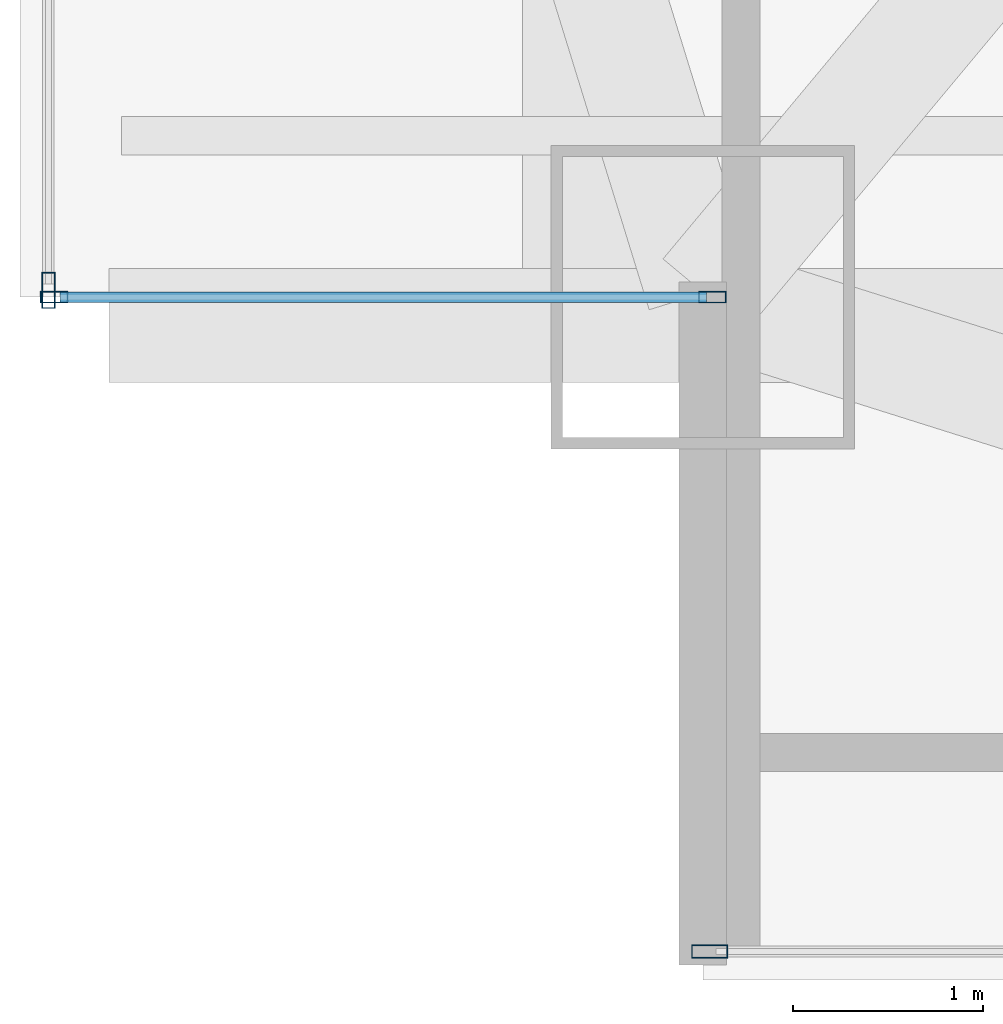
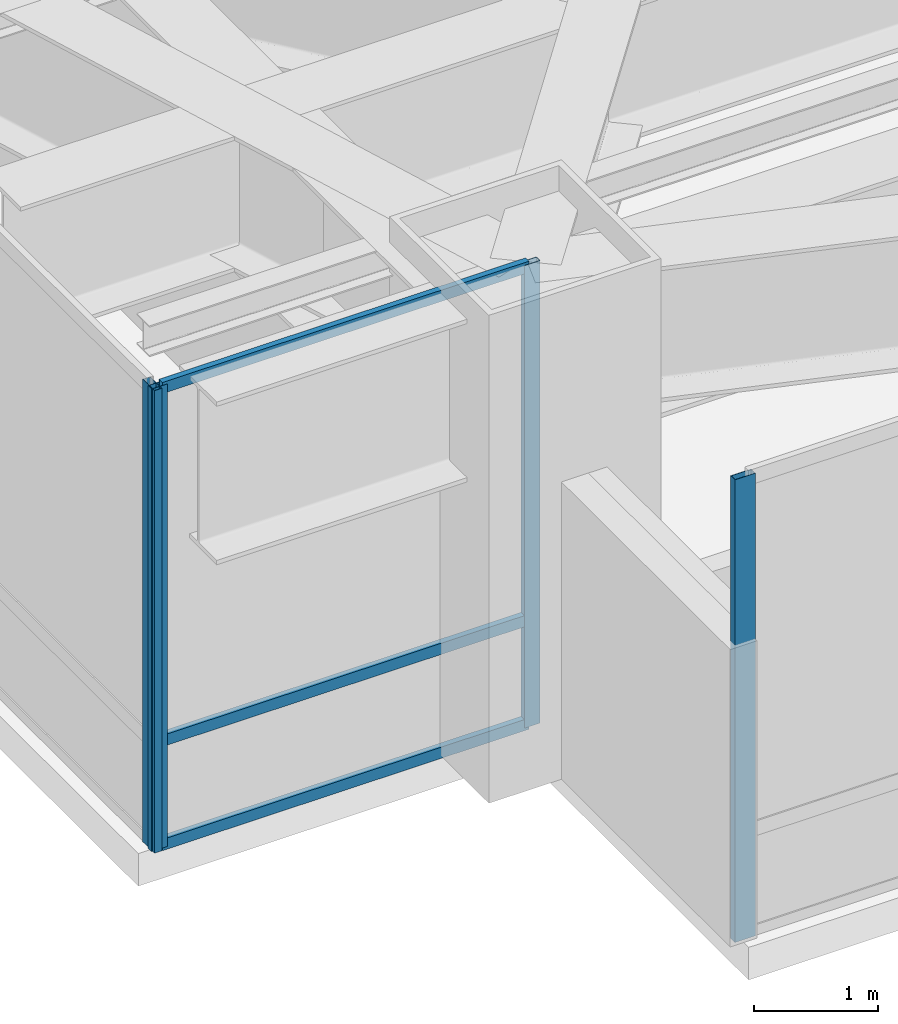
# One storey, part 3 of 30: 7 members, 3 elements without a shape of their own.
"""IFC4 building model written with IfcOpenShell, lengths in metres."""

from ifc_helpers import new_model, si_unit, direction, frame, origin, origin_2d, place, context, subcontext, project, spatial, hollow_rectangle, extrude, source, transform, mapped, material, layer, layer_set, material_profile, profile_set, type_object, type_shapes, element, aggregate, save


model = new_model("IFC4")

# Units and contexts
model_context = context("Model", 3, precision=1e-05, world=origin(), true_north=direction((0.0, 1.0)))
body_context = subcontext(model_context, "Body", "Model", "MODEL_VIEW")
ifc_project = project(units=[si_unit("LENGTHUNIT", "METRE"), si_unit("AREAUNIT", "SQUARE_METRE"), si_unit("VOLUMEUNIT", "CUBIC_METRE"), si_unit("PLANEANGLEUNIT", "RADIAN"), si_unit("MASSUNIT", "GRAM", prefix="KILO")], contexts=[model_context])

# Site, building, storey
site_placement = place(None, origin())
site = spatial("IfcSite", under=ifc_project, at=site_placement, CompositionType="ELEMENT")
building_placement = place(site_placement, origin())
building = spatial("IfcBuilding", under=site, at=building_placement, Name="Varnel Quay Broadcast Tower", CompositionType="ELEMENT")
storey_placement = place(building_placement, frame((0.0, 0.0, 82.199951171875)))
storey = spatial("IfcBuildingStorey", under=building, at=storey_placement, Name="L19", CompositionType="ELEMENT", Elevation=82.199951171875)

# Curtain wall, members
ifc_material = material(Name="Anodised Bronze Aluminium 6063-T6", Category="aluminium")
ifc_layer_1 = layer(ifc_material, 0.18994140625, Name="Anodised Bronze Aluminium 6063-T6")
ifc_layer_set_1 = layer_set([ifc_layer_1], Name="Anodised Bronze Aluminium 6063-T6")
curtain_wall_type_1 = type_object("IfcCurtainWallType", Name="CW_NotchCorner", PredefinedType="NOTDEFINED", material=ifc_layer_set_1)
curtain_wall_1_placement = place(storey_placement, origin())
curtain_wall_1 = element("IfcCurtainWall", 1, at=curtain_wall_1_placement, inside=storey, type_object=curtain_wall_type_1, Name="L19 SW Notch Curtain Wall", PredefinedType="NOTDEFINED")
ifc_material_profile_1 = material_profile(ifc_material, hollow_rectangle(XDim=0.054931640625, YDim=0.110107421875, WallThickness=0.0029296875, at=origin_2d()), Name="ALU55X110X3")
ifc_profile_set_1 = profile_set([ifc_material_profile_1], Name="Anodised Bronze Aluminium 6063-T6")
member_type_1 = type_object("IfcMemberType", Name="Tran_CWS-04", PredefinedType="USERDEFINED", material=ifc_profile_set_1)
shared_shape_1 = source(origin(), body_context, "Body", "SweptSolid", [
    extrude(hollow_rectangle(XDim=0.054931640625, YDim=0.110107421875, WallThickness=0.0029296875, at=origin_2d()), origin(), (0.0, 0.0, 1.0), 3.41015625),
])
type_shapes(member_type_1, [shared_shape_1])
member_1_placement = place(storey_placement, frame((2.2099609375, 4.800048828125, 0.027587890625), z_axis=(1.0, 0.0, 0.0), x_axis=(0.0, 1.0, 0.0)))
member_1 = element("IfcMember", 2, at=member_1_placement, type_object=member_type_1, Name="CWS-04 transom 1.1", ObjectType="TRANSOM", PredefinedType="USERDEFINED", context=body_context, shape_type="MappedRepresentation", body=[
    mapped(shared_shape_1, transform((0.0, 0.0, 0.0), x_axis=(1.0, 0.0, 0.0), y_axis=(0.0, 1.0, 0.0), z_axis=(0.0, 0.0, 1.0), scale=1.0)),
])
member_2_placement = place(storey_placement, frame((2.2099609375, 4.800048828125, 1.050048828125), z_axis=(1.0, 0.0, 0.0), x_axis=(0.0, 1.0, 0.0)))
member_2 = element("IfcMember", 3, at=member_2_placement, type_object=member_type_1, Name="CWS-04 transom 1.2", ObjectType="TRANSOM", PredefinedType="USERDEFINED", context=body_context, shape_type="MappedRepresentation", body=[
    mapped(shared_shape_1, transform((0.0, 0.0, 0.0), x_axis=(1.0, 0.0, 0.0), y_axis=(0.0, 1.0, 0.0), z_axis=(0.0, 0.0, 1.0), scale=1.0)),
])
member_3_placement = place(storey_placement, frame((2.2099609375, 4.800048828125, 4.5224609375), z_axis=(1.0, 0.0, 0.0), x_axis=(0.0, 1.0, 0.0)))
member_3 = element("IfcMember", 4, at=member_3_placement, type_object=member_type_1, Name="CWS-04 transom 1.3", ObjectType="TRANSOM", PredefinedType="USERDEFINED", context=body_context, shape_type="MappedRepresentation", body=[
    mapped(shared_shape_1, transform((0.0, 0.0, 0.0), x_axis=(1.0, 0.0, 0.0), y_axis=(0.0, 1.0, 0.0), z_axis=(0.0, 0.0, 1.0), scale=1.0)),
])

# Curtain wall, member
ifc_layer_2 = layer(ifc_material, 0.18994140625, Name="Anodised Bronze Aluminium 6063-T6")
ifc_layer_set_2 = layer_set([ifc_layer_2], Name="Anodised Bronze Aluminium 6063-T6")
curtain_wall_type_2 = type_object("IfcCurtainWallType", Name="CW_LowerTower", PredefinedType="NOTDEFINED", material=ifc_layer_set_2)
curtain_wall_2_placement = place(storey_placement, origin())
curtain_wall_2 = element("IfcCurtainWall", 5, at=curtain_wall_2_placement, inside=storey, type_object=curtain_wall_type_2, Name="L19 South Unitised Curtain Wall 1", PredefinedType="NOTDEFINED")
ifc_material_profile_2 = material_profile(ifc_material, hollow_rectangle(XDim=0.070068359375, YDim=0.18994140625, WallThickness=0.00390625, at=origin_2d()), Name="ALU70X190X4")
ifc_profile_set_2 = profile_set([ifc_material_profile_2], Name="Anodised Bronze Aluminium 6063-T6")
member_type_2 = type_object("IfcMemberType", Name="Mull_CWS-02", PredefinedType="MULLION", material=ifc_profile_set_2)
shared_shape_2 = source(origin(), body_context, "Body", "SweptSolid", [
    extrude(hollow_rectangle(XDim=0.070068359375, YDim=0.18994140625, WallThickness=0.00390625, at=origin_2d()), origin(), (0.0, 0.0, 1.0), 4.550048828125),
])
type_shapes(member_type_2, [shared_shape_2])
member_4_placement = place(storey_placement, frame((5.635009765625, 1.35009765625, 0.0), z_axis=(0.0, 0.0, 1.0), x_axis=(0.0, 1.0, 0.0)))
member_4 = element("IfcMember", 6, at=member_4_placement, type_object=member_type_2, Name="CWS-02 mullion 1", PredefinedType="MULLION", context=body_context, shape_type="MappedRepresentation", body=[
    mapped(shared_shape_2, transform((0.0, 0.0, 0.0), x_axis=(1.0, 0.0, 0.0), y_axis=(0.0, 1.0, 0.0), z_axis=(0.0, 0.0, 1.0), scale=1.0)),
])
aggregate(curtain_wall_2, [member_4])

curtain_wall_3_placement = place(storey_placement, origin())
curtain_wall_3 = element("IfcCurtainWall", 7, at=curtain_wall_3_placement, inside=storey, type_object=curtain_wall_type_2, Name="L19 West Unitised Curtain Wall", PredefinedType="NOTDEFINED")
member_5_placement = place(storey_placement, frame((2.14990234375, 4.8349609375, 0.0), z_axis=(0.0, 0.0, 1.0), x_axis=(-1.0, 0.0, 0.0)))
member_5 = element("IfcMember", 8, at=member_5_placement, type_object=member_type_2, Name="CWS-02 mullion 1", PredefinedType="MULLION", context=body_context, shape_type="MappedRepresentation", body=[
    mapped(shared_shape_2, transform((0.0, 0.0, 0.0), x_axis=(1.0, 0.0, 0.0), y_axis=(0.0, 1.0, 0.0), z_axis=(0.0, 0.0, 1.0), scale=1.0)),
])
aggregate(curtain_wall_3, [member_5])

# Member
ifc_material_profile_3 = material_profile(ifc_material, hollow_rectangle(XDim=0.06005859375, YDim=0.14501953125, WallThickness=0.00341796875, at=origin_2d()), Name="ALU60X145X3.5")
ifc_profile_set_3 = profile_set([ifc_material_profile_3], Name="Anodised Bronze Aluminium 6063-T6")
member_type_3 = type_object("IfcMemberType", Name="Mull_CWS-04", PredefinedType="MULLION", material=ifc_profile_set_3)
shared_shape_3 = source(origin(), body_context, "Body", "SweptSolid", [
    extrude(hollow_rectangle(XDim=0.06005859375, YDim=0.14501953125, WallThickness=0.00341796875, at=origin_2d()), origin(), (0.0, 0.0, 1.0), 4.550048828125),
])
type_shapes(member_type_3, [shared_shape_3])
member_6_placement = place(storey_placement, frame((2.179931640625, 4.800048828125, 0.0), z_axis=(0.0, 0.0, 1.0), x_axis=(0.0, 1.0, 0.0)))
member_6 = element("IfcMember", 9, at=member_6_placement, type_object=member_type_3, Name="CWS-04 mullion 1", PredefinedType="MULLION", context=body_context, shape_type="MappedRepresentation", body=[
    mapped(shared_shape_3, transform((0.0, 0.0, 0.0), x_axis=(1.0, 0.0, 0.0), y_axis=(0.0, 1.0, 0.0), z_axis=(0.0, 0.0, 1.0), scale=1.0)),
])

member_7_placement = place(storey_placement, frame((5.64990234375, 4.800048828125, 0.0), z_axis=(0.0, 0.0, 1.0), x_axis=(0.0, 1.0, 0.0)))
member_7 = element("IfcMember", 10, at=member_7_placement, type_object=member_type_3, Name="CWS-04 mullion 2", PredefinedType="MULLION", context=body_context, shape_type="MappedRepresentation", body=[
    mapped(shared_shape_3, transform((0.0, 0.0, 0.0), x_axis=(1.0, 0.0, 0.0), y_axis=(0.0, 1.0, 0.0), z_axis=(0.0, 0.0, 1.0), scale=1.0)),
])

aggregate(curtain_wall_1, [member_6, member_7, member_1, member_2, member_3])

save(model, "model.ifc")
